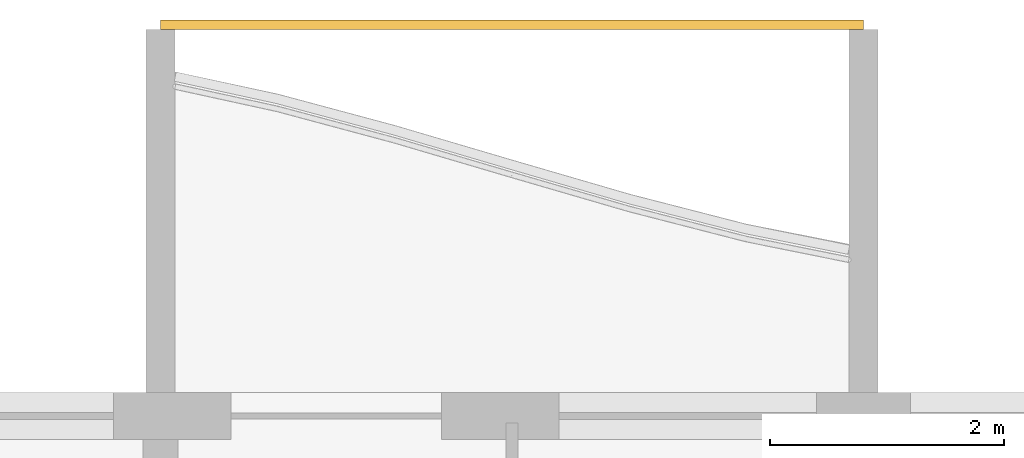
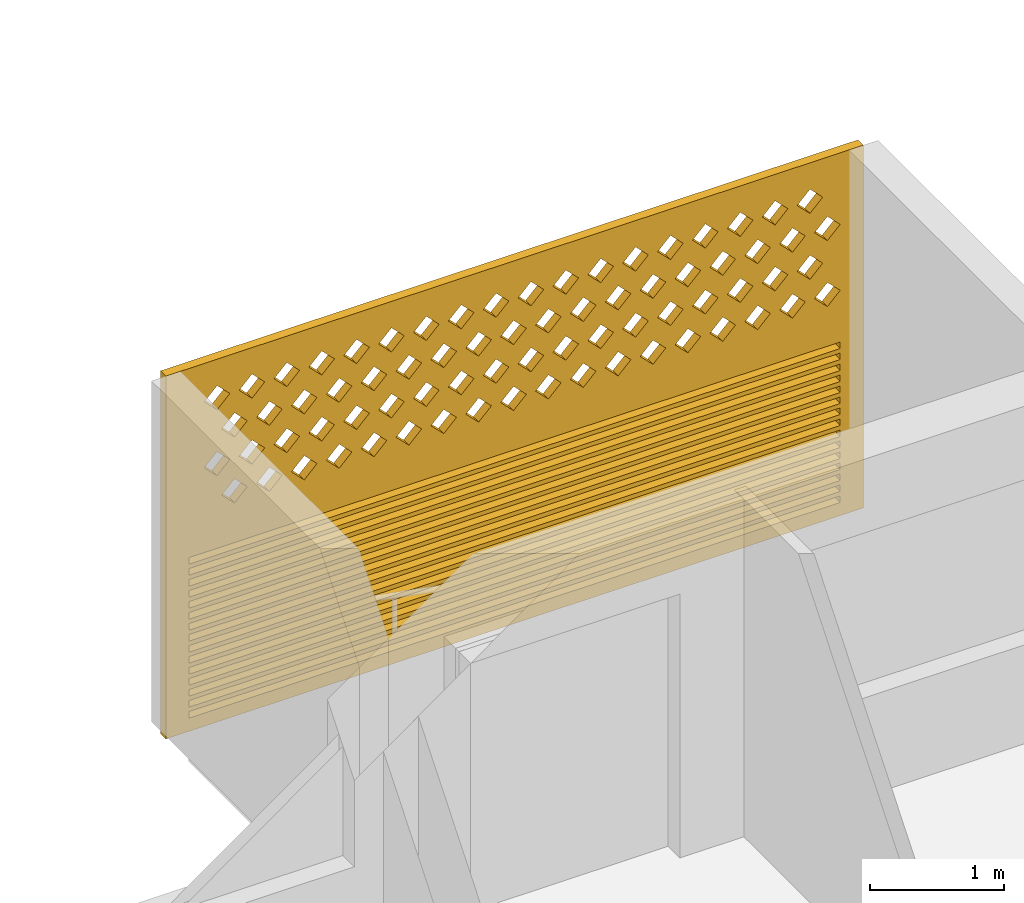
# One storey, part 27 of 33: 1 covering.
"""IFC4 building model written with IfcOpenShell, lengths in metres."""

from ifc_helpers import new_model, si_unit, direction, frame, origin, place, context, subcontext, project, spatial, polyline, outline, extrude, source, transform, mapped, material, material_profile, profile_set, type_object, element, save


model = new_model("IFC4")

# Units and contexts
model_context = context("Model", 3, precision=1e-05, world=origin(), true_north=direction((0.0, 1.0)))
body_context = subcontext(model_context, "Body", "Model", "MODEL_VIEW")
ifc_project = project(units=[si_unit("LENGTHUNIT", "METRE"), si_unit("AREAUNIT", "SQUARE_METRE"), si_unit("VOLUMEUNIT", "CUBIC_METRE"), si_unit("PLANEANGLEUNIT", "RADIAN"), si_unit("MASSUNIT", "GRAM", prefix="KILO")], contexts=[model_context])

# Site, building, storey
site_placement = place(None, origin())
site = spatial("IfcSite", under=ifc_project, at=site_placement, CompositionType="ELEMENT")
building_placement = place(site_placement, origin())
building = spatial("IfcBuilding", under=site, at=building_placement, Name="Poui Terraces", CompositionType="ELEMENT")
storey_placement = place(building_placement, frame((0.0, 0.0, 132.300048828125)))
storey = spatial("IfcBuildingStorey", under=building, at=storey_placement, Name="L36", CompositionType="ELEMENT", Elevation=132.300048828125)

# Covering
ifc_material = material(Name="Terracotta screen", Category="masonry")
ifc_material_profile = material_profile(ifc_material, outline(polyline([(-3.0, -1.64990234375), (3.0, -1.64990234375), (3.0, 1.64990234375), (-3.0, 1.64990234375), (-3.0, -1.64990234375)]), holes=[polyline([(-2.800048828125, 0.39990234375), (-2.68994140625, 0.2900390625), (-2.580078125, 0.39990234375), (-2.68994140625, 0.510009765625), (-2.800048828125, 0.39990234375)]), polyline([(-2.5, 0.39990234375), (-2.389892578125, 0.2900390625), (-2.280029296875, 0.39990234375), (-2.389892578125, 0.510009765625), (-2.5, 0.39990234375)]), polyline([(-2.199951171875, 0.39990234375), (-2.090087890625, 0.2900390625), (-1.97998046875, 0.39990234375), (-2.090087890625, 0.510009765625), (-2.199951171875, 0.39990234375)]), polyline([(-1.89990234375, 0.39990234375), (-1.7900390625, 0.2900390625), (-1.679931640625, 0.39990234375), (-1.7900390625, 0.510009765625), (-1.89990234375, 0.39990234375)]), polyline([(-1.60009765625, 0.39990234375), (-1.489990234375, 0.2900390625), (-1.3798828125, 0.39990234375), (-1.489990234375, 0.510009765625), (-1.60009765625, 0.39990234375)]), polyline([(-1.300048828125, 0.39990234375), (-1.18994140625, 0.2900390625), (-1.080078125, 0.39990234375), (-1.18994140625, 0.510009765625), (-1.300048828125, 0.39990234375)]), polyline([(-1.0, 0.39990234375), (-0.889892578125, 0.2900390625), (-0.780029296875, 0.39990234375), (-0.889892578125, 0.510009765625), (-1.0, 0.39990234375)]), polyline([(-0.699951171875, 0.39990234375), (-0.590087890625, 0.2900390625), (-0.47998046875, 0.39990234375), (-0.590087890625, 0.510009765625), (-0.699951171875, 0.39990234375)]), polyline([(-0.39990234375, 0.39990234375), (-0.2900390625, 0.2900390625), (-0.179931640625, 0.39990234375), (-0.2900390625, 0.510009765625), (-0.39990234375, 0.39990234375)]), polyline([(-0.10009765625, 0.39990234375), (0.010009765625, 0.2900390625), (0.1201171875, 0.39990234375), (0.010009765625, 0.510009765625), (-0.10009765625, 0.39990234375)]), polyline([(0.199951171875, 0.39990234375), (0.31005859375, 0.2900390625), (0.419921875, 0.39990234375), (0.31005859375, 0.510009765625), (0.199951171875, 0.39990234375)]), polyline([(0.5, 0.39990234375), (0.610107421875, 0.2900390625), (0.719970703125, 0.39990234375), (0.610107421875, 0.510009765625), (0.5, 0.39990234375)]), polyline([(0.800048828125, 0.39990234375), (0.909912109375, 0.2900390625), (1.02001953125, 0.39990234375), (0.909912109375, 0.510009765625), (0.800048828125, 0.39990234375)]), polyline([(1.10009765625, 0.39990234375), (1.2099609375, 0.2900390625), (1.320068359375, 0.39990234375), (1.2099609375, 0.510009765625), (1.10009765625, 0.39990234375)]), polyline([(1.39990234375, 0.39990234375), (1.510009765625, 0.2900390625), (1.6201171875, 0.39990234375), (1.510009765625, 0.510009765625), (1.39990234375, 0.39990234375)]), polyline([(1.699951171875, 0.39990234375), (1.81005859375, 0.2900390625), (1.919921875, 0.39990234375), (1.81005859375, 0.510009765625), (1.699951171875, 0.39990234375)]), polyline([(2.0, 0.39990234375), (2.110107421875, 0.2900390625), (2.219970703125, 0.39990234375), (2.110107421875, 0.510009765625), (2.0, 0.39990234375)]), polyline([(2.300048828125, 0.39990234375), (2.409912109375, 0.2900390625), (2.52001953125, 0.39990234375), (2.409912109375, 0.510009765625), (2.300048828125, 0.39990234375)]), polyline([(-2.64990234375, 0.699951171875), (-2.5400390625, 0.590087890625), (-2.429931640625, 0.699951171875), (-2.5400390625, 0.81005859375), (-2.64990234375, 0.699951171875)]), polyline([(-2.35009765625, 0.699951171875), (-2.239990234375, 0.590087890625), (-2.1298828125, 0.699951171875), (-2.239990234375, 0.81005859375), (-2.35009765625, 0.699951171875)]), polyline([(-2.050048828125, 0.699951171875), (-1.93994140625, 0.590087890625), (-1.830078125, 0.699951171875), (-1.93994140625, 0.81005859375), (-2.050048828125, 0.699951171875)]), polyline([(-1.75, 0.699951171875), (-1.639892578125, 0.590087890625), (-1.530029296875, 0.699951171875), (-1.639892578125, 0.81005859375), (-1.75, 0.699951171875)]), polyline([(-1.449951171875, 0.699951171875), (-1.340087890625, 0.590087890625), (-1.22998046875, 0.699951171875), (-1.340087890625, 0.81005859375), (-1.449951171875, 0.699951171875)]), polyline([(-1.14990234375, 0.699951171875), (-1.0400390625, 0.590087890625), (-0.929931640625, 0.699951171875), (-1.0400390625, 0.81005859375), (-1.14990234375, 0.699951171875)]), polyline([(-0.85009765625, 0.699951171875), (-0.739990234375, 0.590087890625), (-0.6298828125, 0.699951171875), (-0.739990234375, 0.81005859375), (-0.85009765625, 0.699951171875)]), polyline([(-0.550048828125, 0.699951171875), (-0.43994140625, 0.590087890625), (-0.330078125, 0.699951171875), (-0.43994140625, 0.81005859375), (-0.550048828125, 0.699951171875)]), polyline([(-0.25, 0.699951171875), (-0.139892578125, 0.590087890625), (-0.030029296875, 0.699951171875), (-0.139892578125, 0.81005859375), (-0.25, 0.699951171875)]), polyline([(0.050048828125, 0.699951171875), (0.159912109375, 0.590087890625), (0.27001953125, 0.699951171875), (0.159912109375, 0.81005859375), (0.050048828125, 0.699951171875)]), polyline([(0.35009765625, 0.699951171875), (0.4599609375, 0.590087890625), (0.570068359375, 0.699951171875), (0.4599609375, 0.81005859375), (0.35009765625, 0.699951171875)]), polyline([(0.64990234375, 0.699951171875), (0.760009765625, 0.590087890625), (0.8701171875, 0.699951171875), (0.760009765625, 0.81005859375), (0.64990234375, 0.699951171875)]), polyline([(0.949951171875, 0.699951171875), (1.06005859375, 0.590087890625), (1.169921875, 0.699951171875), (1.06005859375, 0.81005859375), (0.949951171875, 0.699951171875)]), polyline([(1.25, 0.699951171875), (1.360107421875, 0.590087890625), (1.469970703125, 0.699951171875), (1.360107421875, 0.81005859375), (1.25, 0.699951171875)]), polyline([(1.550048828125, 0.699951171875), (1.659912109375, 0.590087890625), (1.77001953125, 0.699951171875), (1.659912109375, 0.81005859375), (1.550048828125, 0.699951171875)]), polyline([(1.85009765625, 0.699951171875), (1.9599609375, 0.590087890625), (2.070068359375, 0.699951171875), (1.9599609375, 0.81005859375), (1.85009765625, 0.699951171875)]), polyline([(2.14990234375, 0.699951171875), (2.260009765625, 0.590087890625), (2.3701171875, 0.699951171875), (2.260009765625, 0.81005859375), (2.14990234375, 0.699951171875)]), polyline([(2.449951171875, 0.699951171875), (2.56005859375, 0.590087890625), (2.669921875, 0.699951171875), (2.56005859375, 0.81005859375), (2.449951171875, 0.699951171875)]), polyline([(-2.800048828125, 1.0), (-2.68994140625, 0.889892578125), (-2.580078125, 1.0), (-2.68994140625, 1.110107421875), (-2.800048828125, 1.0)]), polyline([(-2.5, 1.0), (-2.389892578125, 0.889892578125), (-2.280029296875, 1.0), (-2.389892578125, 1.110107421875), (-2.5, 1.0)]), polyline([(-2.199951171875, 1.0), (-2.090087890625, 0.889892578125), (-1.97998046875, 1.0), (-2.090087890625, 1.110107421875), (-2.199951171875, 1.0)]), polyline([(-1.89990234375, 1.0), (-1.7900390625, 0.889892578125), (-1.679931640625, 1.0), (-1.7900390625, 1.110107421875), (-1.89990234375, 1.0)]), polyline([(-1.60009765625, 1.0), (-1.489990234375, 0.889892578125), (-1.3798828125, 1.0), (-1.489990234375, 1.110107421875), (-1.60009765625, 1.0)]), polyline([(-1.300048828125, 1.0), (-1.18994140625, 0.889892578125), (-1.080078125, 1.0), (-1.18994140625, 1.110107421875), (-1.300048828125, 1.0)]), polyline([(-1.0, 1.0), (-0.889892578125, 0.889892578125), (-0.780029296875, 1.0), (-0.889892578125, 1.110107421875), (-1.0, 1.0)]), polyline([(-0.699951171875, 1.0), (-0.590087890625, 0.889892578125), (-0.47998046875, 1.0), (-0.590087890625, 1.110107421875), (-0.699951171875, 1.0)]), polyline([(-0.39990234375, 1.0), (-0.2900390625, 0.889892578125), (-0.179931640625, 1.0), (-0.2900390625, 1.110107421875), (-0.39990234375, 1.0)]), polyline([(-0.10009765625, 1.0), (0.010009765625, 0.889892578125), (0.1201171875, 1.0), (0.010009765625, 1.110107421875), (-0.10009765625, 1.0)]), polyline([(0.199951171875, 1.0), (0.31005859375, 0.889892578125), (0.419921875, 1.0), (0.31005859375, 1.110107421875), (0.199951171875, 1.0)]), polyline([(0.5, 1.0), (0.610107421875, 0.889892578125), (0.719970703125, 1.0), (0.610107421875, 1.110107421875), (0.5, 1.0)]), polyline([(0.800048828125, 1.0), (0.909912109375, 0.889892578125), (1.02001953125, 1.0), (0.909912109375, 1.110107421875), (0.800048828125, 1.0)]), polyline([(1.10009765625, 1.0), (1.2099609375, 0.889892578125), (1.320068359375, 1.0), (1.2099609375, 1.110107421875), (1.10009765625, 1.0)]), polyline([(1.39990234375, 1.0), (1.510009765625, 0.889892578125), (1.6201171875, 1.0), (1.510009765625, 1.110107421875), (1.39990234375, 1.0)]), polyline([(1.699951171875, 1.0), (1.81005859375, 0.889892578125), (1.919921875, 1.0), (1.81005859375, 1.110107421875), (1.699951171875, 1.0)]), polyline([(2.0, 1.0), (2.110107421875, 0.889892578125), (2.219970703125, 1.0), (2.110107421875, 1.110107421875), (2.0, 1.0)]), polyline([(2.300048828125, 1.0), (2.409912109375, 0.889892578125), (2.52001953125, 1.0), (2.409912109375, 1.110107421875), (2.300048828125, 1.0)]), polyline([(-2.64990234375, 1.300048828125), (-2.5400390625, 1.18994140625), (-2.429931640625, 1.300048828125), (-2.5400390625, 1.409912109375), (-2.64990234375, 1.300048828125)]), polyline([(-2.35009765625, 1.300048828125), (-2.239990234375, 1.18994140625), (-2.1298828125, 1.300048828125), (-2.239990234375, 1.409912109375), (-2.35009765625, 1.300048828125)]), polyline([(-2.050048828125, 1.300048828125), (-1.93994140625, 1.18994140625), (-1.830078125, 1.300048828125), (-1.93994140625, 1.409912109375), (-2.050048828125, 1.300048828125)]), polyline([(-1.75, 1.300048828125), (-1.639892578125, 1.18994140625), (-1.530029296875, 1.300048828125), (-1.639892578125, 1.409912109375), (-1.75, 1.300048828125)]), polyline([(-1.449951171875, 1.300048828125), (-1.340087890625, 1.18994140625), (-1.22998046875, 1.300048828125), (-1.340087890625, 1.409912109375), (-1.449951171875, 1.300048828125)]), polyline([(-1.14990234375, 1.300048828125), (-1.0400390625, 1.18994140625), (-0.929931640625, 1.300048828125), (-1.0400390625, 1.409912109375), (-1.14990234375, 1.300048828125)]), polyline([(-0.85009765625, 1.300048828125), (-0.739990234375, 1.18994140625), (-0.6298828125, 1.300048828125), (-0.739990234375, 1.409912109375), (-0.85009765625, 1.300048828125)]), polyline([(-0.550048828125, 1.300048828125), (-0.43994140625, 1.18994140625), (-0.330078125, 1.300048828125), (-0.43994140625, 1.409912109375), (-0.550048828125, 1.300048828125)]), polyline([(-0.25, 1.300048828125), (-0.139892578125, 1.18994140625), (-0.030029296875, 1.300048828125), (-0.139892578125, 1.409912109375), (-0.25, 1.300048828125)]), polyline([(0.050048828125, 1.300048828125), (0.159912109375, 1.18994140625), (0.27001953125, 1.300048828125), (0.159912109375, 1.409912109375), (0.050048828125, 1.300048828125)]), polyline([(0.35009765625, 1.300048828125), (0.4599609375, 1.18994140625), (0.570068359375, 1.300048828125), (0.4599609375, 1.409912109375), (0.35009765625, 1.300048828125)]), polyline([(0.64990234375, 1.300048828125), (0.760009765625, 1.18994140625), (0.8701171875, 1.300048828125), (0.760009765625, 1.409912109375), (0.64990234375, 1.300048828125)]), polyline([(0.949951171875, 1.300048828125), (1.06005859375, 1.18994140625), (1.169921875, 1.300048828125), (1.06005859375, 1.409912109375), (0.949951171875, 1.300048828125)]), polyline([(1.25, 1.300048828125), (1.360107421875, 1.18994140625), (1.469970703125, 1.300048828125), (1.360107421875, 1.409912109375), (1.25, 1.300048828125)]), polyline([(1.550048828125, 1.300048828125), (1.659912109375, 1.18994140625), (1.77001953125, 1.300048828125), (1.659912109375, 1.409912109375), (1.550048828125, 1.300048828125)]), polyline([(1.85009765625, 1.300048828125), (1.9599609375, 1.18994140625), (2.070068359375, 1.300048828125), (1.9599609375, 1.409912109375), (1.85009765625, 1.300048828125)]), polyline([(2.14990234375, 1.300048828125), (2.260009765625, 1.18994140625), (2.3701171875, 1.300048828125), (2.260009765625, 1.409912109375), (2.14990234375, 1.300048828125)]), polyline([(2.449951171875, 1.300048828125), (2.56005859375, 1.18994140625), (2.669921875, 1.300048828125), (2.56005859375, 1.409912109375), (2.449951171875, 1.300048828125)]), polyline([(-2.800048828125, -1.530029296875), (2.800048828125, -1.530029296875), (2.800048828125, -1.469970703125), (-2.800048828125, -1.469970703125), (-2.800048828125, -1.530029296875)]), polyline([(-2.800048828125, -1.429931640625), (2.800048828125, -1.429931640625), (2.800048828125, -1.3701171875), (-2.800048828125, -1.3701171875), (-2.800048828125, -1.429931640625)]), polyline([(-2.800048828125, -1.330078125), (2.800048828125, -1.330078125), (2.800048828125, -1.27001953125), (-2.800048828125, -1.27001953125), (-2.800048828125, -1.330078125)]), polyline([(-2.800048828125, -1.22998046875), (2.800048828125, -1.22998046875), (2.800048828125, -1.169921875), (-2.800048828125, -1.169921875), (-2.800048828125, -1.22998046875)]), polyline([(-2.800048828125, -1.1298828125), (2.800048828125, -1.1298828125), (2.800048828125, -1.070068359375), (-2.800048828125, -1.070068359375), (-2.800048828125, -1.1298828125)]), polyline([(-2.800048828125, -1.030029296875), (2.800048828125, -1.030029296875), (2.800048828125, -0.969970703125), (-2.800048828125, -0.969970703125), (-2.800048828125, -1.030029296875)]), polyline([(-2.800048828125, -0.929931640625), (2.800048828125, -0.929931640625), (2.800048828125, -0.8701171875), (-2.800048828125, -0.8701171875), (-2.800048828125, -0.929931640625)]), polyline([(-2.800048828125, -0.830078125), (2.800048828125, -0.830078125), (2.800048828125, -0.77001953125), (-2.800048828125, -0.77001953125), (-2.800048828125, -0.830078125)]), polyline([(-2.800048828125, -0.72998046875), (2.800048828125, -0.72998046875), (2.800048828125, -0.669921875), (-2.800048828125, -0.669921875), (-2.800048828125, -0.72998046875)]), polyline([(-2.800048828125, -0.6298828125), (2.800048828125, -0.6298828125), (2.800048828125, -0.570068359375), (-2.800048828125, -0.570068359375), (-2.800048828125, -0.6298828125)]), polyline([(-2.800048828125, -0.530029296875), (2.800048828125, -0.530029296875), (2.800048828125, -0.469970703125), (-2.800048828125, -0.469970703125), (-2.800048828125, -0.530029296875)]), polyline([(-2.800048828125, -0.429931640625), (2.800048828125, -0.429931640625), (2.800048828125, -0.3701171875), (-2.800048828125, -0.3701171875), (-2.800048828125, -0.429931640625)]), polyline([(-2.800048828125, -0.330078125), (2.800048828125, -0.330078125), (2.800048828125, -0.27001953125), (-2.800048828125, -0.27001953125), (-2.800048828125, -0.330078125)]), polyline([(-2.800048828125, -0.22998046875), (2.800048828125, -0.22998046875), (2.800048828125, -0.169921875), (-2.800048828125, -0.169921875), (-2.800048828125, -0.22998046875)]), polyline([(-2.800048828125, -0.1298828125), (2.800048828125, -0.1298828125), (2.800048828125, -0.070068359375), (-2.800048828125, -0.070068359375), (-2.800048828125, -0.1298828125)])]), Name="TERRACOTTA SCREEN AND JALOUSIE LOUVRE 6000X3300")
ifc_profile_set = profile_set([ifc_material_profile], Name="Terracotta screen")
covering_type = type_object("IfcCoveringType", Name="TERRACOTTA SCREEN AND JALOUSIE LOUVRE 6000X3300", PredefinedType="CLADDING", material=ifc_profile_set)
shared_shape = source(origin(), body_context, "Body", "SweptSolid", [
    extrude(outline(polyline([(-3.0, -1.64990234375), (3.0, -1.64990234375), (3.0, 1.64990234375), (-3.0, 1.64990234375), (-3.0, -1.64990234375)]), holes=[polyline([(-2.800048828125, 0.39990234375), (-2.68994140625, 0.2900390625), (-2.580078125, 0.39990234375), (-2.68994140625, 0.510009765625), (-2.800048828125, 0.39990234375)]), polyline([(-2.5, 0.39990234375), (-2.389892578125, 0.2900390625), (-2.280029296875, 0.39990234375), (-2.389892578125, 0.510009765625), (-2.5, 0.39990234375)]), polyline([(-2.199951171875, 0.39990234375), (-2.090087890625, 0.2900390625), (-1.97998046875, 0.39990234375), (-2.090087890625, 0.510009765625), (-2.199951171875, 0.39990234375)]), polyline([(-1.89990234375, 0.39990234375), (-1.7900390625, 0.2900390625), (-1.679931640625, 0.39990234375), (-1.7900390625, 0.510009765625), (-1.89990234375, 0.39990234375)]), polyline([(-1.60009765625, 0.39990234375), (-1.489990234375, 0.2900390625), (-1.3798828125, 0.39990234375), (-1.489990234375, 0.510009765625), (-1.60009765625, 0.39990234375)]), polyline([(-1.300048828125, 0.39990234375), (-1.18994140625, 0.2900390625), (-1.080078125, 0.39990234375), (-1.18994140625, 0.510009765625), (-1.300048828125, 0.39990234375)]), polyline([(-1.0, 0.39990234375), (-0.889892578125, 0.2900390625), (-0.780029296875, 0.39990234375), (-0.889892578125, 0.510009765625), (-1.0, 0.39990234375)]), polyline([(-0.699951171875, 0.39990234375), (-0.590087890625, 0.2900390625), (-0.47998046875, 0.39990234375), (-0.590087890625, 0.510009765625), (-0.699951171875, 0.39990234375)]), polyline([(-0.39990234375, 0.39990234375), (-0.2900390625, 0.2900390625), (-0.179931640625, 0.39990234375), (-0.2900390625, 0.510009765625), (-0.39990234375, 0.39990234375)]), polyline([(-0.10009765625, 0.39990234375), (0.010009765625, 0.2900390625), (0.1201171875, 0.39990234375), (0.010009765625, 0.510009765625), (-0.10009765625, 0.39990234375)]), polyline([(0.199951171875, 0.39990234375), (0.31005859375, 0.2900390625), (0.419921875, 0.39990234375), (0.31005859375, 0.510009765625), (0.199951171875, 0.39990234375)]), polyline([(0.5, 0.39990234375), (0.610107421875, 0.2900390625), (0.719970703125, 0.39990234375), (0.610107421875, 0.510009765625), (0.5, 0.39990234375)]), polyline([(0.800048828125, 0.39990234375), (0.909912109375, 0.2900390625), (1.02001953125, 0.39990234375), (0.909912109375, 0.510009765625), (0.800048828125, 0.39990234375)]), polyline([(1.10009765625, 0.39990234375), (1.2099609375, 0.2900390625), (1.320068359375, 0.39990234375), (1.2099609375, 0.510009765625), (1.10009765625, 0.39990234375)]), polyline([(1.39990234375, 0.39990234375), (1.510009765625, 0.2900390625), (1.6201171875, 0.39990234375), (1.510009765625, 0.510009765625), (1.39990234375, 0.39990234375)]), polyline([(1.699951171875, 0.39990234375), (1.81005859375, 0.2900390625), (1.919921875, 0.39990234375), (1.81005859375, 0.510009765625), (1.699951171875, 0.39990234375)]), polyline([(2.0, 0.39990234375), (2.110107421875, 0.2900390625), (2.219970703125, 0.39990234375), (2.110107421875, 0.510009765625), (2.0, 0.39990234375)]), polyline([(2.300048828125, 0.39990234375), (2.409912109375, 0.2900390625), (2.52001953125, 0.39990234375), (2.409912109375, 0.510009765625), (2.300048828125, 0.39990234375)]), polyline([(-2.64990234375, 0.699951171875), (-2.5400390625, 0.590087890625), (-2.429931640625, 0.699951171875), (-2.5400390625, 0.81005859375), (-2.64990234375, 0.699951171875)]), polyline([(-2.35009765625, 0.699951171875), (-2.239990234375, 0.590087890625), (-2.1298828125, 0.699951171875), (-2.239990234375, 0.81005859375), (-2.35009765625, 0.699951171875)]), polyline([(-2.050048828125, 0.699951171875), (-1.93994140625, 0.590087890625), (-1.830078125, 0.699951171875), (-1.93994140625, 0.81005859375), (-2.050048828125, 0.699951171875)]), polyline([(-1.75, 0.699951171875), (-1.639892578125, 0.590087890625), (-1.530029296875, 0.699951171875), (-1.639892578125, 0.81005859375), (-1.75, 0.699951171875)]), polyline([(-1.449951171875, 0.699951171875), (-1.340087890625, 0.590087890625), (-1.22998046875, 0.699951171875), (-1.340087890625, 0.81005859375), (-1.449951171875, 0.699951171875)]), polyline([(-1.14990234375, 0.699951171875), (-1.0400390625, 0.590087890625), (-0.929931640625, 0.699951171875), (-1.0400390625, 0.81005859375), (-1.14990234375, 0.699951171875)]), polyline([(-0.85009765625, 0.699951171875), (-0.739990234375, 0.590087890625), (-0.6298828125, 0.699951171875), (-0.739990234375, 0.81005859375), (-0.85009765625, 0.699951171875)]), polyline([(-0.550048828125, 0.699951171875), (-0.43994140625, 0.590087890625), (-0.330078125, 0.699951171875), (-0.43994140625, 0.81005859375), (-0.550048828125, 0.699951171875)]), polyline([(-0.25, 0.699951171875), (-0.139892578125, 0.590087890625), (-0.030029296875, 0.699951171875), (-0.139892578125, 0.81005859375), (-0.25, 0.699951171875)]), polyline([(0.050048828125, 0.699951171875), (0.159912109375, 0.590087890625), (0.27001953125, 0.699951171875), (0.159912109375, 0.81005859375), (0.050048828125, 0.699951171875)]), polyline([(0.35009765625, 0.699951171875), (0.4599609375, 0.590087890625), (0.570068359375, 0.699951171875), (0.4599609375, 0.81005859375), (0.35009765625, 0.699951171875)]), polyline([(0.64990234375, 0.699951171875), (0.760009765625, 0.590087890625), (0.8701171875, 0.699951171875), (0.760009765625, 0.81005859375), (0.64990234375, 0.699951171875)]), polyline([(0.949951171875, 0.699951171875), (1.06005859375, 0.590087890625), (1.169921875, 0.699951171875), (1.06005859375, 0.81005859375), (0.949951171875, 0.699951171875)]), polyline([(1.25, 0.699951171875), (1.360107421875, 0.590087890625), (1.469970703125, 0.699951171875), (1.360107421875, 0.81005859375), (1.25, 0.699951171875)]), polyline([(1.550048828125, 0.699951171875), (1.659912109375, 0.590087890625), (1.77001953125, 0.699951171875), (1.659912109375, 0.81005859375), (1.550048828125, 0.699951171875)]), polyline([(1.85009765625, 0.699951171875), (1.9599609375, 0.590087890625), (2.070068359375, 0.699951171875), (1.9599609375, 0.81005859375), (1.85009765625, 0.699951171875)]), polyline([(2.14990234375, 0.699951171875), (2.260009765625, 0.590087890625), (2.3701171875, 0.699951171875), (2.260009765625, 0.81005859375), (2.14990234375, 0.699951171875)]), polyline([(2.449951171875, 0.699951171875), (2.56005859375, 0.590087890625), (2.669921875, 0.699951171875), (2.56005859375, 0.81005859375), (2.449951171875, 0.699951171875)]), polyline([(-2.800048828125, 1.0), (-2.68994140625, 0.889892578125), (-2.580078125, 1.0), (-2.68994140625, 1.110107421875), (-2.800048828125, 1.0)]), polyline([(-2.5, 1.0), (-2.389892578125, 0.889892578125), (-2.280029296875, 1.0), (-2.389892578125, 1.110107421875), (-2.5, 1.0)]), polyline([(-2.199951171875, 1.0), (-2.090087890625, 0.889892578125), (-1.97998046875, 1.0), (-2.090087890625, 1.110107421875), (-2.199951171875, 1.0)]), polyline([(-1.89990234375, 1.0), (-1.7900390625, 0.889892578125), (-1.679931640625, 1.0), (-1.7900390625, 1.110107421875), (-1.89990234375, 1.0)]), polyline([(-1.60009765625, 1.0), (-1.489990234375, 0.889892578125), (-1.3798828125, 1.0), (-1.489990234375, 1.110107421875), (-1.60009765625, 1.0)]), polyline([(-1.300048828125, 1.0), (-1.18994140625, 0.889892578125), (-1.080078125, 1.0), (-1.18994140625, 1.110107421875), (-1.300048828125, 1.0)]), polyline([(-1.0, 1.0), (-0.889892578125, 0.889892578125), (-0.780029296875, 1.0), (-0.889892578125, 1.110107421875), (-1.0, 1.0)]), polyline([(-0.699951171875, 1.0), (-0.590087890625, 0.889892578125), (-0.47998046875, 1.0), (-0.590087890625, 1.110107421875), (-0.699951171875, 1.0)]), polyline([(-0.39990234375, 1.0), (-0.2900390625, 0.889892578125), (-0.179931640625, 1.0), (-0.2900390625, 1.110107421875), (-0.39990234375, 1.0)]), polyline([(-0.10009765625, 1.0), (0.010009765625, 0.889892578125), (0.1201171875, 1.0), (0.010009765625, 1.110107421875), (-0.10009765625, 1.0)]), polyline([(0.199951171875, 1.0), (0.31005859375, 0.889892578125), (0.419921875, 1.0), (0.31005859375, 1.110107421875), (0.199951171875, 1.0)]), polyline([(0.5, 1.0), (0.610107421875, 0.889892578125), (0.719970703125, 1.0), (0.610107421875, 1.110107421875), (0.5, 1.0)]), polyline([(0.800048828125, 1.0), (0.909912109375, 0.889892578125), (1.02001953125, 1.0), (0.909912109375, 1.110107421875), (0.800048828125, 1.0)]), polyline([(1.10009765625, 1.0), (1.2099609375, 0.889892578125), (1.320068359375, 1.0), (1.2099609375, 1.110107421875), (1.10009765625, 1.0)]), polyline([(1.39990234375, 1.0), (1.510009765625, 0.889892578125), (1.6201171875, 1.0), (1.510009765625, 1.110107421875), (1.39990234375, 1.0)]), polyline([(1.699951171875, 1.0), (1.81005859375, 0.889892578125), (1.919921875, 1.0), (1.81005859375, 1.110107421875), (1.699951171875, 1.0)]), polyline([(2.0, 1.0), (2.110107421875, 0.889892578125), (2.219970703125, 1.0), (2.110107421875, 1.110107421875), (2.0, 1.0)]), polyline([(2.300048828125, 1.0), (2.409912109375, 0.889892578125), (2.52001953125, 1.0), (2.409912109375, 1.110107421875), (2.300048828125, 1.0)]), polyline([(-2.64990234375, 1.300048828125), (-2.5400390625, 1.18994140625), (-2.429931640625, 1.300048828125), (-2.5400390625, 1.409912109375), (-2.64990234375, 1.300048828125)]), polyline([(-2.35009765625, 1.300048828125), (-2.239990234375, 1.18994140625), (-2.1298828125, 1.300048828125), (-2.239990234375, 1.409912109375), (-2.35009765625, 1.300048828125)]), polyline([(-2.050048828125, 1.300048828125), (-1.93994140625, 1.18994140625), (-1.830078125, 1.300048828125), (-1.93994140625, 1.409912109375), (-2.050048828125, 1.300048828125)]), polyline([(-1.75, 1.300048828125), (-1.639892578125, 1.18994140625), (-1.530029296875, 1.300048828125), (-1.639892578125, 1.409912109375), (-1.75, 1.300048828125)]), polyline([(-1.449951171875, 1.300048828125), (-1.340087890625, 1.18994140625), (-1.22998046875, 1.300048828125), (-1.340087890625, 1.409912109375), (-1.449951171875, 1.300048828125)]), polyline([(-1.14990234375, 1.300048828125), (-1.0400390625, 1.18994140625), (-0.929931640625, 1.300048828125), (-1.0400390625, 1.409912109375), (-1.14990234375, 1.300048828125)]), polyline([(-0.85009765625, 1.300048828125), (-0.739990234375, 1.18994140625), (-0.6298828125, 1.300048828125), (-0.739990234375, 1.409912109375), (-0.85009765625, 1.300048828125)]), polyline([(-0.550048828125, 1.300048828125), (-0.43994140625, 1.18994140625), (-0.330078125, 1.300048828125), (-0.43994140625, 1.409912109375), (-0.550048828125, 1.300048828125)]), polyline([(-0.25, 1.300048828125), (-0.139892578125, 1.18994140625), (-0.030029296875, 1.300048828125), (-0.139892578125, 1.409912109375), (-0.25, 1.300048828125)]), polyline([(0.050048828125, 1.300048828125), (0.159912109375, 1.18994140625), (0.27001953125, 1.300048828125), (0.159912109375, 1.409912109375), (0.050048828125, 1.300048828125)]), polyline([(0.35009765625, 1.300048828125), (0.4599609375, 1.18994140625), (0.570068359375, 1.300048828125), (0.4599609375, 1.409912109375), (0.35009765625, 1.300048828125)]), polyline([(0.64990234375, 1.300048828125), (0.760009765625, 1.18994140625), (0.8701171875, 1.300048828125), (0.760009765625, 1.409912109375), (0.64990234375, 1.300048828125)]), polyline([(0.949951171875, 1.300048828125), (1.06005859375, 1.18994140625), (1.169921875, 1.300048828125), (1.06005859375, 1.409912109375), (0.949951171875, 1.300048828125)]), polyline([(1.25, 1.300048828125), (1.360107421875, 1.18994140625), (1.469970703125, 1.300048828125), (1.360107421875, 1.409912109375), (1.25, 1.300048828125)]), polyline([(1.550048828125, 1.300048828125), (1.659912109375, 1.18994140625), (1.77001953125, 1.300048828125), (1.659912109375, 1.409912109375), (1.550048828125, 1.300048828125)]), polyline([(1.85009765625, 1.300048828125), (1.9599609375, 1.18994140625), (2.070068359375, 1.300048828125), (1.9599609375, 1.409912109375), (1.85009765625, 1.300048828125)]), polyline([(2.14990234375, 1.300048828125), (2.260009765625, 1.18994140625), (2.3701171875, 1.300048828125), (2.260009765625, 1.409912109375), (2.14990234375, 1.300048828125)]), polyline([(2.449951171875, 1.300048828125), (2.56005859375, 1.18994140625), (2.669921875, 1.300048828125), (2.56005859375, 1.409912109375), (2.449951171875, 1.300048828125)]), polyline([(-2.800048828125, -1.530029296875), (2.800048828125, -1.530029296875), (2.800048828125, -1.469970703125), (-2.800048828125, -1.469970703125), (-2.800048828125, -1.530029296875)]), polyline([(-2.800048828125, -1.429931640625), (2.800048828125, -1.429931640625), (2.800048828125, -1.3701171875), (-2.800048828125, -1.3701171875), (-2.800048828125, -1.429931640625)]), polyline([(-2.800048828125, -1.330078125), (2.800048828125, -1.330078125), (2.800048828125, -1.27001953125), (-2.800048828125, -1.27001953125), (-2.800048828125, -1.330078125)]), polyline([(-2.800048828125, -1.22998046875), (2.800048828125, -1.22998046875), (2.800048828125, -1.169921875), (-2.800048828125, -1.169921875), (-2.800048828125, -1.22998046875)]), polyline([(-2.800048828125, -1.1298828125), (2.800048828125, -1.1298828125), (2.800048828125, -1.070068359375), (-2.800048828125, -1.070068359375), (-2.800048828125, -1.1298828125)]), polyline([(-2.800048828125, -1.030029296875), (2.800048828125, -1.030029296875), (2.800048828125, -0.969970703125), (-2.800048828125, -0.969970703125), (-2.800048828125, -1.030029296875)]), polyline([(-2.800048828125, -0.929931640625), (2.800048828125, -0.929931640625), (2.800048828125, -0.8701171875), (-2.800048828125, -0.8701171875), (-2.800048828125, -0.929931640625)]), polyline([(-2.800048828125, -0.830078125), (2.800048828125, -0.830078125), (2.800048828125, -0.77001953125), (-2.800048828125, -0.77001953125), (-2.800048828125, -0.830078125)]), polyline([(-2.800048828125, -0.72998046875), (2.800048828125, -0.72998046875), (2.800048828125, -0.669921875), (-2.800048828125, -0.669921875), (-2.800048828125, -0.72998046875)]), polyline([(-2.800048828125, -0.6298828125), (2.800048828125, -0.6298828125), (2.800048828125, -0.570068359375), (-2.800048828125, -0.570068359375), (-2.800048828125, -0.6298828125)]), polyline([(-2.800048828125, -0.530029296875), (2.800048828125, -0.530029296875), (2.800048828125, -0.469970703125), (-2.800048828125, -0.469970703125), (-2.800048828125, -0.530029296875)]), polyline([(-2.800048828125, -0.429931640625), (2.800048828125, -0.429931640625), (2.800048828125, -0.3701171875), (-2.800048828125, -0.3701171875), (-2.800048828125, -0.429931640625)]), polyline([(-2.800048828125, -0.330078125), (2.800048828125, -0.330078125), (2.800048828125, -0.27001953125), (-2.800048828125, -0.27001953125), (-2.800048828125, -0.330078125)]), polyline([(-2.800048828125, -0.22998046875), (2.800048828125, -0.22998046875), (2.800048828125, -0.169921875), (-2.800048828125, -0.169921875), (-2.800048828125, -0.22998046875)]), polyline([(-2.800048828125, -0.1298828125), (2.800048828125, -0.1298828125), (2.800048828125, -0.070068359375), (-2.800048828125, -0.070068359375), (-2.800048828125, -0.1298828125)])]), origin(), (0.0, 0.0, 1.0), 0.080078125),
])
covering_placement = place(storey_placement, frame((57.0, 45.699951171875, 1.449951171875), z_axis=(0.0, 1.0, 0.0), x_axis=(-1.0, 0.0, 0.0)))
element("IfcCovering", 1, at=covering_placement, inside=storey, type_object=covering_type, Name="SOLAR SCREEN AND JALOUSIE LOUVRE", PredefinedType="CLADDING", context=body_context, shape_type="MappedRepresentation", body=[
    mapped(shared_shape, transform((0.0, 0.0, 0.0))),
])

save(model, "model.ifc")
